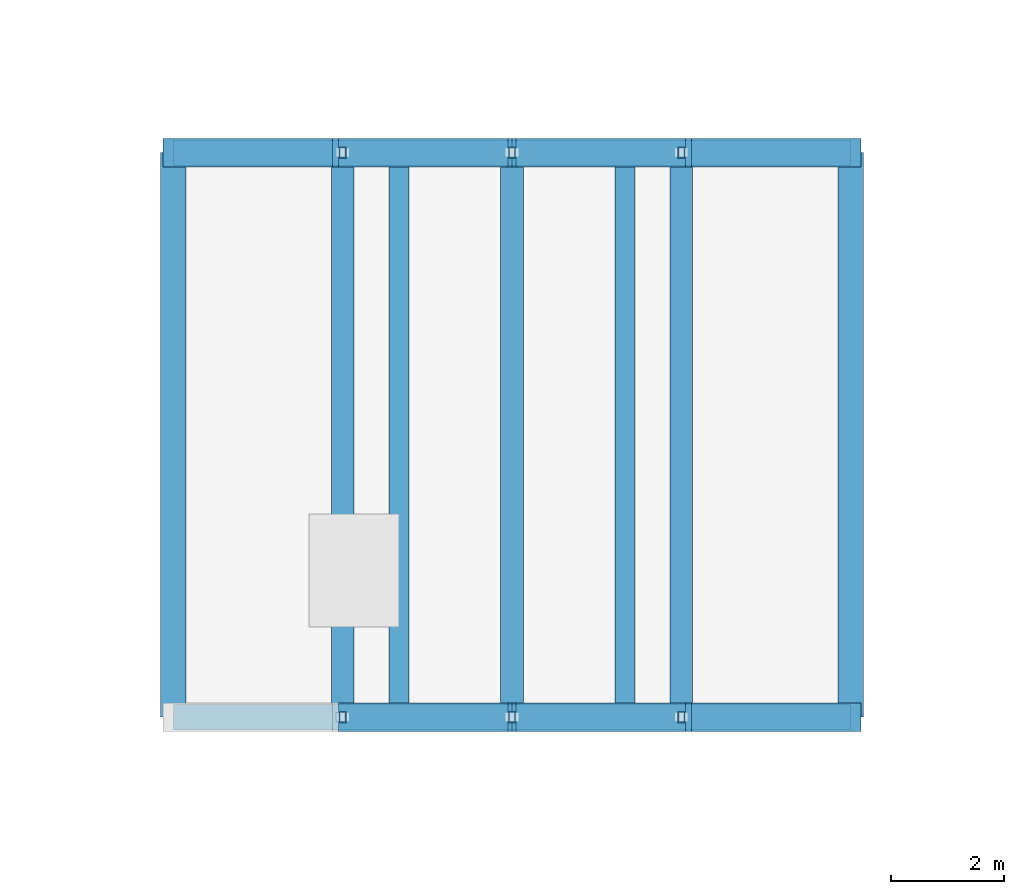
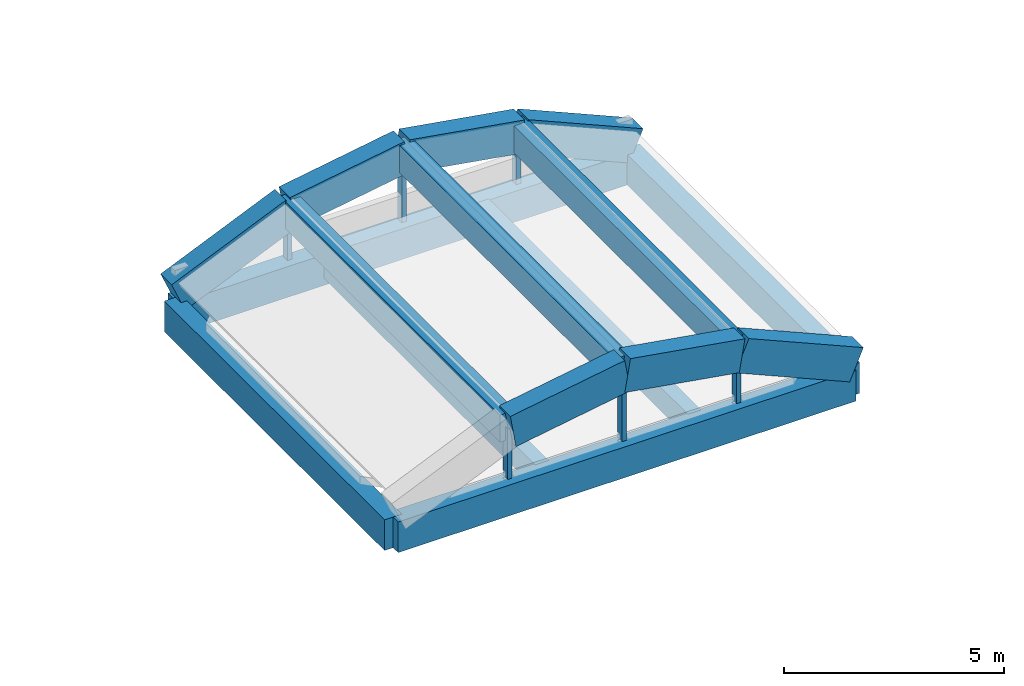
# One storey, part 9 of 82: 16 beams, 6 members.
"""IFC4 building model written with IfcOpenShell, lengths in metres."""

from ifc_helpers import new_model, si_unit, direction, frame, origin, origin_2d, place, context, subcontext, project, spatial, rectangle, hollow_rectangle, extrude, material, material_profile, profile_set, type_object, element, save


model = new_model("IFC4")

# Units and contexts
model_context = context("Model", 3, precision=1e-05, world=origin(), true_north=direction((0.0, 1.0)))
body_context = subcontext(model_context, "Body", "Model", "MODEL_VIEW")
ifc_project = project(units=[si_unit("LENGTHUNIT", "METRE"), si_unit("AREAUNIT", "SQUARE_METRE"), si_unit("VOLUMEUNIT", "CUBIC_METRE"), si_unit("PLANEANGLEUNIT", "RADIAN"), si_unit("MASSUNIT", "GRAM", prefix="KILO")], contexts=[model_context])

# Site, building, storey
site_placement = place(None, origin())
site = spatial("IfcSite", under=ifc_project, at=site_placement, CompositionType="ELEMENT")
building_placement = place(site_placement, origin())
building = spatial("IfcBuilding", under=site, at=building_placement, Name="Mersad Railyard Sports Hall", CompositionType="ELEMENT")
storey_placement = place(building_placement, frame((0.0, 0.0, 13.199951171875)))
storey = spatial("IfcBuildingStorey", under=building, at=storey_placement, Name="L03", CompositionType="ELEMENT", Elevation=13.199951171875)

# Beams
ifc_material_1 = material(Name="Concrete C40/50", Category="concrete")
ifc_material_profile_1 = material_profile(ifc_material_1, rectangle(XDim=0.39990234375, YDim=0.75, at=origin_2d()), Name="RC 400x750")
ifc_profile_set_1 = profile_set([ifc_material_profile_1], Name="Concrete C40/50")
beam_type_1 = type_object("IfcBeamType", Name="STR-BM-B01", PredefinedType="BEAM", material=ifc_profile_set_1)
for number, where, z_axis, x_axis, name in (
    (1, (82.0, 43.5, 1.25), (0.0, 1.0, 0.0), (-1.0, 0.0, 0.0), "Beam B01-1622"),
    (2, (85.0, 43.5, 1.75), (0.0, 1.0, 0.0), (-1.0, 0.0, 0.0), "Beam B01-1623"),
    (3, (88.0, 43.5, 1.25), (0.0, 1.0, 0.0), (-1.0, 0.0, 0.0), "Beam B01-1624"),
):
    element("IfcBeam", number, at=place(storey_placement, frame(where, z_axis=z_axis, x_axis=x_axis)), inside=storey, type_object=beam_type_1, Name=name, PredefinedType="BEAM", context=body_context, shape_type="SweptSolid", body=[
        extrude(rectangle(XDim=0.39990234375, YDim=0.75, at=origin_2d()), origin(), (0.0, 0.0, 1.0), 10.0),
    ])
ifc_material_profile_2 = material_profile(ifc_material_1, rectangle(XDim=0.449951171875, YDim=0.85009765625, at=origin_2d()), Name="RC 450x850")
ifc_profile_set_2 = profile_set([ifc_material_profile_2], Name="Concrete C40/50")
beam_type_2 = type_object("IfcBeamType", Name="STR-BM-B02", PredefinedType="BEAM", material=ifc_profile_set_2)
for number, where, z_axis, x_axis, name in (
    (4, (79.0, 43.5, -0.64501953125), (1.0, 0.0, 0.0), (0.0, 1.0, 0.0), "Beam B02-0578"),
    (5, (79.0, 53.5, -0.64501953125), (1.0, 0.0, 0.0), (0.0, 1.0, 0.0), "Beam B02-0579"),
):
    element("IfcBeam", number, at=place(storey_placement, frame(where, z_axis=z_axis, x_axis=x_axis)), inside=storey, type_object=beam_type_2, Name=name, PredefinedType="BEAM", context=body_context, shape_type="SweptSolid", body=[
        extrude(rectangle(XDim=0.449951171875, YDim=0.85009765625, at=origin_2d()), origin(), (0.0, 0.0, 1.0), 12.0),
    ])
for number, where, z_axis, x_axis, name in (
    (6, (79.0, 43.5, -0.64501953125), (0.0, 1.0, 0.0), (-1.0, 0.0, 0.0), "Beam B02-0580"),
    (7, (91.0, 43.5, -0.64501953125), (0.0, 1.0, 0.0), (-1.0, 0.0, 0.0), "Beam B02-0581"),
):
    element("IfcBeam", number, at=place(storey_placement, frame(where, z_axis=z_axis, x_axis=x_axis)), inside=storey, type_object=beam_type_2, Name=name, PredefinedType="BEAM", context=body_context, shape_type="SweptSolid", body=[
        extrude(rectangle(XDim=0.449951171875, YDim=0.85009765625, at=origin_2d()), origin(), (0.0, 0.0, 1.0), 10.0),
    ])
ifc_material_profile_3 = material_profile(ifc_material_1, rectangle(XDim=0.35009765625, YDim=0.64990234375, at=origin_2d()), Name="RC 350x650")
ifc_profile_set_3 = profile_set([ifc_material_profile_3], Name="Concrete C40/50")
beam_type_3 = type_object("IfcBeamType", Name="STR-BM-J01", PredefinedType="JOIST", material=ifc_profile_set_3)
for number, where, z_axis, x_axis, name in (
    (8, (83.0, 43.679931640625, -0.544921875), (0.0, 1.0, 0.0), (-1.0, 0.0, 0.0), "Beam J01-0582"),
    (9, (87.0, 43.679931640625, -0.544921875), (0.0, 1.0, 0.0), (-1.0, 0.0, 0.0), "Beam J01-0583"),
):
    element("IfcBeam", number, at=place(storey_placement, frame(where, z_axis=z_axis, x_axis=x_axis)), inside=storey, type_object=beam_type_3, Name=name, PredefinedType="JOIST", context=body_context, shape_type="SweptSolid", body=[
        extrude(rectangle(XDim=0.35009765625, YDim=0.64990234375, at=origin_2d()), origin(), (0.0, 0.0, 1.0), 9.64013671875),
    ])
ifc_material_2 = material(Name="Architectural concrete C50/60", Category="concrete")
ifc_material_profile_4 = material_profile(ifc_material_2, rectangle(XDim=0.5, YDim=0.89990234375, at=origin_2d()), Name="VR 500x900")
ifc_profile_set_4 = profile_set([ifc_material_profile_4], Name="Architectural concrete C50/60")
beam_type_4 = type_object("IfcBeamType", Name="STR-BM-VR02", PredefinedType="BEAM", material=ifc_profile_set_4)
for number, where, z_axis, x_axis, name in (
    (10, (82.0, 43.5, 1.25), (0.986393923832, 0.0, 0.164398987305), (0.0, 1.0, 0.0), "Beam VR02-1615"),
    (11, (85.0, 43.5, 1.75), (0.986393923832, 0.0, -0.164398987305), (0.0, 1.0, 0.0), "Beam VR02-1616"),
):
    element("IfcBeam", number, at=place(storey_placement, frame(where, z_axis=z_axis, x_axis=x_axis)), inside=storey, type_object=beam_type_4, Name=name, PredefinedType="BEAM", context=body_context, shape_type="SweptSolid", body=[
        extrude(rectangle(XDim=0.5, YDim=0.89990234375, at=origin_2d()), origin(), (0.0, 0.0, 1.0), 3.041259765625),
    ])
for number, where, z_axis, x_axis, name in (
    (12, (88.0, 43.5, 1.25), (0.917550176867, 0.0, -0.397620010727), (0.0, 1.0, 0.0), "Beam VR02-1617"),
    (13, (79.0, 53.5, -0.050048828125), (0.917550176867, 0.0, 0.397620010727), (0.0, 1.0, 0.0), "Beam VR02-1618"),
):
    element("IfcBeam", number, at=place(storey_placement, frame(where, z_axis=z_axis, x_axis=x_axis)), inside=storey, type_object=beam_type_4, Name=name, PredefinedType="BEAM", context=body_context, shape_type="SweptSolid", body=[
        extrude(rectangle(XDim=0.5, YDim=0.89990234375, at=origin_2d()), origin(), (0.0, 0.0, 1.0), 3.26953125),
    ])
for number, where, z_axis, x_axis, name in (
    (14, (82.0, 53.5, 1.25), (0.986393923832, 0.0, 0.164398987305), (0.0, 1.0, 0.0), "Beam VR02-1619"),
    (15, (85.0, 53.5, 1.75), (0.986393923832, 0.0, -0.164398987305), (0.0, 1.0, 0.0), "Beam VR02-1620"),
):
    element("IfcBeam", number, at=place(storey_placement, frame(where, z_axis=z_axis, x_axis=x_axis)), inside=storey, type_object=beam_type_4, Name=name, PredefinedType="BEAM", context=body_context, shape_type="SweptSolid", body=[
        extrude(rectangle(XDim=0.5, YDim=0.89990234375, at=origin_2d()), origin(), (0.0, 0.0, 1.0), 3.041259765625),
    ])
beam_placement = place(storey_placement, frame((88.0, 53.5, 1.25), z_axis=(0.917550176867, 0.0, -0.397620010727), x_axis=(0.0, 1.0, 0.0)))
element("IfcBeam", 16, at=beam_placement, inside=storey, type_object=beam_type_4, Name="Beam VR02-1621", PredefinedType="BEAM", context=body_context, shape_type="SweptSolid", body=[
    extrude(rectangle(XDim=0.5, YDim=0.89990234375, at=origin_2d()), origin(), (0.0, 0.0, 1.0), 3.26953125),
])

# Members
ifc_material_3 = material(Name="Steel S355", Category="steel")
ifc_material_profile_5 = material_profile(ifc_material_3, hollow_rectangle(XDim=0.1201171875, YDim=0.199951171875, WallThickness=0.010009765625, at=origin_2d()), Name="RHS 200x120x10")
ifc_profile_set_5 = profile_set([ifc_material_profile_5], Name="Steel S355")
member_type = type_object("IfcMemberType", Name="STR-MEM-SR01", PredefinedType="STRUT", material=ifc_profile_set_5)
member_1_placement = place(storey_placement, frame((82.0, 43.5, -0.14990234375), z_axis=(0.0, 0.0, 1.0), x_axis=(1.0, 0.0, 0.0)))
element("IfcMember", 17, at=member_1_placement, inside=storey, type_object=member_type, Name="Structural member SR01-0402", PredefinedType="STRUT", context=body_context, shape_type="SweptSolid", body=[
    extrude(hollow_rectangle(XDim=0.1201171875, YDim=0.199951171875, WallThickness=0.010009765625, at=origin_2d()), origin(), (0.0, 0.0, 1.0), 1.39990234375),
])
member_2_placement = place(storey_placement, frame((85.0, 43.5, -0.14990234375), z_axis=(0.0, 0.0, 1.0), x_axis=(1.0, 0.0, 0.0)))
element("IfcMember", 18, at=member_2_placement, inside=storey, type_object=member_type, Name="Structural member SR01-0403", PredefinedType="STRUT", context=body_context, shape_type="SweptSolid", body=[
    extrude(hollow_rectangle(XDim=0.1201171875, YDim=0.199951171875, WallThickness=0.010009765625, at=origin_2d()), origin(), (0.0, 0.0, 1.0), 1.89990234375),
])
for number, where, z_axis, x_axis, name in (
    (19, (88.0, 43.5, -0.14990234375), (0.0, 0.0, 1.0), (1.0, 0.0, 0.0), "Structural member SR01-0404"),
    (20, (82.0, 53.5, -0.14990234375), (0.0, 0.0, 1.0), (1.0, 0.0, 0.0), "Structural member SR01-0405"),
):
    element("IfcMember", number, at=place(storey_placement, frame(where, z_axis=z_axis, x_axis=x_axis)), inside=storey, type_object=member_type, Name=name, PredefinedType="STRUT", context=body_context, shape_type="SweptSolid", body=[
        extrude(hollow_rectangle(XDim=0.1201171875, YDim=0.199951171875, WallThickness=0.010009765625, at=origin_2d()), origin(), (0.0, 0.0, 1.0), 1.39990234375),
    ])
member_3_placement = place(storey_placement, frame((85.0, 53.5, -0.14990234375), z_axis=(0.0, 0.0, 1.0), x_axis=(1.0, 0.0, 0.0)))
element("IfcMember", 21, at=member_3_placement, inside=storey, type_object=member_type, Name="Structural member SR01-0406", PredefinedType="STRUT", context=body_context, shape_type="SweptSolid", body=[
    extrude(hollow_rectangle(XDim=0.1201171875, YDim=0.199951171875, WallThickness=0.010009765625, at=origin_2d()), origin(), (0.0, 0.0, 1.0), 1.89990234375),
])
member_4_placement = place(storey_placement, frame((88.0, 53.5, -0.14990234375), z_axis=(0.0, 0.0, 1.0), x_axis=(1.0, 0.0, 0.0)))
element("IfcMember", 22, at=member_4_placement, inside=storey, type_object=member_type, Name="Structural member SR01-0407", PredefinedType="STRUT", context=body_context, shape_type="SweptSolid", body=[
    extrude(hollow_rectangle(XDim=0.1201171875, YDim=0.199951171875, WallThickness=0.010009765625, at=origin_2d()), origin(), (0.0, 0.0, 1.0), 1.39990234375),
])

save(model, "model.ifc")
